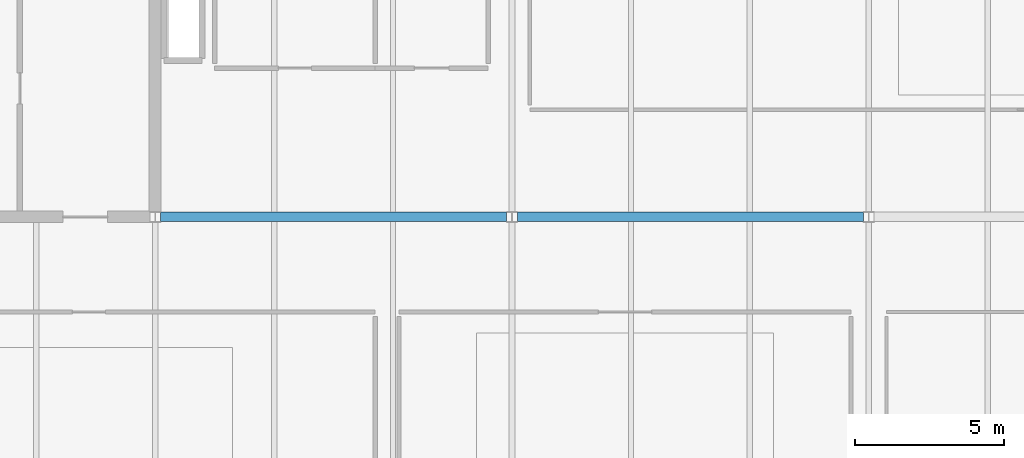
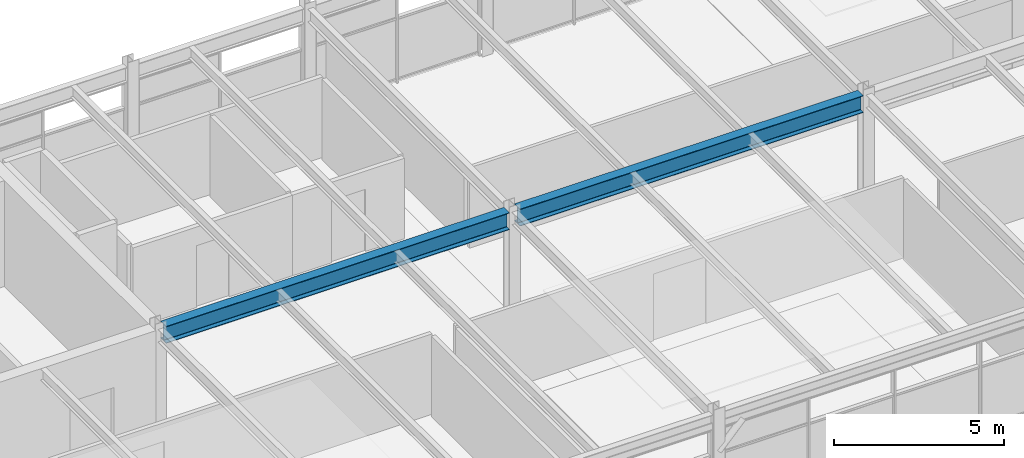
# One storey, part 8 of 23: 2 beams.
"""IFC4 building model written with IfcOpenShell, lengths in metres."""

import ifcopenshell
import ifcopenshell.guid

model = None  # the IFC model being written
_history = None  # IfcOwnerHistory: only IFC2X3 demands one
_inside = {}  # id of a spatial element -> (the spatial element, [elements in it])
_under = {}  # id of a project, library or spatial element -> (it, [spatial elements below it])
_declared = {}  # id of a project -> (the project, [libraries it declares])
_typed = {}  # id of a type object -> (the type object, [elements of that type])
_made_of = {}  # id of a material, layer set ... -> (it, [elements and type objects made of it])


def new_model(schema):
    """Start an empty IFC model of exactly this schema.

    Asked for "IFC4X3", IfcOpenShell would pick the latest addendum, in which some entities
    have other attributes; the version numbers below select the first issue.
    IFC2X3 requires an IfcOwnerHistory on every rooted entity: one is made here for all.
    """
    global model, _history
    if schema == "IFC4X3":
        model = ifcopenshell.file(schema_version=(4, 3, 0, 0))
    else:
        model = ifcopenshell.file(schema=schema)
    _inside.clear()
    _under.clear()
    _declared.clear()
    _typed.clear()
    _made_of.clear()
    _history = None
    if model.schema == "IFC2X3":
        org = make("IfcOrganization", Name="unknown")
        user = make(
            "IfcPersonAndOrganization",
            ThePerson=make("IfcPerson", FamilyName="unknown"),
            TheOrganization=org,
        )
        app = make(
            "IfcApplication",
            ApplicationDeveloper=org,
            Version="unknown",
            ApplicationFullName="unknown",
            ApplicationIdentifier="unknown",
        )
        _history = make(
            "IfcOwnerHistory",
            OwningUser=user,
            OwningApplication=app,
            ChangeAction="ADDED",
            CreationDate=0,
        )
    return model


def make(cls, **values):
    """One entity of the class cls with the attributes given. An attribute that is None is left unset."""
    return model.create_entity(
        cls, **{name: value for name, value in values.items() if value is not None}
    )


def rooted(cls, **values):
    """An entity with a GlobalId (a new one), such as an element, a storey or a relation."""
    return make(cls, GlobalId=ifcopenshell.guid.new(), OwnerHistory=_history, **values)


def si_unit(unit_type, name, prefix=None):
    """IfcSIUnit, for example si_unit("LENGTHUNIT", "METRE", prefix="MILLI")."""
    return make("IfcSIUnit", UnitType=unit_type, Prefix=prefix, Name=name)


def assignment(units):
    """IfcUnitAssignment: the units of a project."""
    return None if units is None else make("IfcUnitAssignment", Units=units)


def point(xyz):
    """IfcCartesianPoint."""
    return None if xyz is None else make("IfcCartesianPoint", Coordinates=xyz)


def direction(xyz):
    """IfcDirection."""
    return None if xyz is None else make("IfcDirection", DirectionRatios=xyz)


def frame(location, z_axis=None, x_axis=None):
    """IfcAxis2Placement3D, a coordinate frame: its origin and axes. An axis left out is left unset."""
    return make(
        "IfcAxis2Placement3D",
        Location=point(location),
        Axis=direction(z_axis),
        RefDirection=direction(x_axis),
    )


def frame_2d(location, x_axis=None):
    """IfcAxis2Placement2D, a coordinate frame in the plane: its origin and x axis."""
    return make(
        "IfcAxis2Placement2D", Location=point(location), RefDirection=direction(x_axis)
    )


def origin():
    """The frame at (0, 0, 0) with its axes left unset."""
    return frame((0.0, 0.0, 0.0))


def origin_2d():
    """The frame at (0, 0) in the plane with its x axis left unset."""
    return frame_2d((0.0, 0.0))


def place(relative_to, where):
    """IfcLocalPlacement: puts the frame where relative to a parent placement (None: the world)."""
    return make(
        "IfcLocalPlacement", PlacementRelTo=relative_to, RelativePlacement=where
    )


def context(
    kind, dimensions, precision=None, world=None, true_north=None, identifier=None
):
    """IfcGeometricRepresentationContext, for example the 3D "Model" context."""
    return make(
        "IfcGeometricRepresentationContext",
        ContextIdentifier=identifier,
        ContextType=kind,
        CoordinateSpaceDimension=dimensions,
        Precision=precision,
        WorldCoordinateSystem=world,
        TrueNorth=true_north,
    )


def subcontext(parent, identifier, kind, view, scale=None):
    """IfcGeometricRepresentationSubContext, for example "Body" below "Model"."""
    return make(
        "IfcGeometricRepresentationSubContext",
        ContextIdentifier=identifier,
        ContextType=kind,
        ParentContext=parent,
        TargetScale=scale,
        TargetView=view,
    )


def project(units=None, contexts=None):
    """IfcProject with its units and contexts."""
    return rooted(
        "IfcProject",
        Name="project",
        RepresentationContexts=contexts,
        UnitsInContext=assignment(units),
    )


def spatial(cls, under=None, at=None, **own):
    """A site, building, storey or space (cls), placed at a placement, below another one or the project."""
    s = rooted(cls, ObjectPlacement=at, **own)
    if under is not None:
        _under.setdefault(under.id(), (under, []))[1].append(s)
    return s


def profile(cls, at=None, kind="AREA", **sizes):
    """A parametric profile (cls). Its sizes go by their IFC names, for example OverallWidth=200.0."""
    return make(cls, ProfileType=kind, Position=at, **sizes)


def i_section(**sizes):
    """IfcIShapeProfileDef."""
    return profile("IfcIShapeProfileDef", **sizes)


def extrude(swept, where, along, depth):
    """IfcExtrudedAreaSolid: the profile swept, set in the frame where, extruded along a direction by depth."""
    return make(
        "IfcExtrudedAreaSolid",
        SweptArea=swept,
        Position=where,
        ExtrudedDirection=direction(along),
        Depth=depth,
    )


def shape(context_of_items, identifier, shape_type, items):
    """IfcShapeRepresentation: the items that make up one representation, for example the "Body"."""
    return make(
        "IfcShapeRepresentation",
        ContextOfItems=context_of_items,
        RepresentationIdentifier=identifier,
        RepresentationType=shape_type,
        Items=items,
    )


def material(Name=None, Category=None):
    """IfcMaterial."""
    return make("IfcMaterial", Name=Name, Category=Category)


def material_profile(
    of_material, cross_section, Name=None, Category=None, Priority=None
):
    """IfcMaterialProfile: a cross section and its material."""
    return make(
        "IfcMaterialProfile",
        Name=Name,
        Material=of_material,
        Profile=cross_section,
        Priority=Priority,
        Category=Category,
    )


def profile_set(profiles, Name=None, composite=None):
    """IfcMaterialProfileSet."""
    return make(
        "IfcMaterialProfileSet",
        Name=Name,
        MaterialProfiles=profiles,
        CompositeProfile=composite,
    )


def made_of(thing, what):
    """Note that an element or type object is made of a material, layer set ...; save() writes the relation."""
    if what is not None:
        _made_of.setdefault(what.id(), (what, []))[1].append(thing)
    return thing


def type_object(cls, material=None, **own):
    """A type object (cls), such as IfcWallType, which elements share."""
    return made_of(rooted(cls, **own), material)


def element(
    cls,
    number,
    at=None,
    inside=None,
    cuts=None,
    type_object=None,
    material=None,
    context=None,
    identifier="Body",
    shape_type=None,
    held_by="IfcProductDefinitionShape",
    body=None,
    shapes=None,
    **own,
):
    """One element of the class cls, such as IfcWall. Its Tag is "e" and its number.

    at: its placement. inside: the storey or other place that contains it. cuts: it is an
    opening in that element (IfcRelVoidsElement). A single representation is given by context,
    identifier, shape_type and body (its items); several are given by shapes. held_by: the class
    of the entity that holds the representations. save() writes the other relations.
    """
    e = rooted(cls, Tag="e%d" % number, ObjectPlacement=at, **own)
    if body is not None:
        shapes = [shape(context, identifier, shape_type, body)]
    if shapes is not None:
        e.Representation = make(held_by, Representations=shapes)
    if inside is not None:
        _inside.setdefault(inside.id(), (inside, []))[1].append(e)
    if cuts is not None:
        rooted(
            "IfcRelVoidsElement", RelatingBuildingElement=cuts, RelatedOpeningElement=e
        )
    if type_object is not None:
        _typed.setdefault(type_object.id(), (type_object, []))[1].append(e)
    return made_of(e, material)


def aggregate(whole, parts):
    """IfcRelAggregates: a whole, such as a stair, and the parts it consists of."""
    return rooted("IfcRelAggregates", RelatingObject=whole, RelatedObjects=parts)


def save(model, path):
    """Write the relations noted so far, then the file.

    IfcRelAggregates (storeys below a building ...), IfcRelContainedInSpatialStructure (elements
    in a storey), IfcRelDefinesByType, IfcRelAssociatesMaterial and IfcRelDeclares: one each for
    every whole, place, type object, material and project.
    """
    for whole, parts in _under.values():
        aggregate(whole, parts)
    for where, things in _inside.values():
        rooted(
            "IfcRelContainedInSpatialStructure",
            RelatedElements=things,
            RelatingStructure=where,
        )
    for kind, things in _typed.values():
        rooted("IfcRelDefinesByType", RelatedObjects=things, RelatingType=kind)
    for what, things in _made_of.values():
        rooted("IfcRelAssociatesMaterial", RelatedObjects=things, RelatingMaterial=what)
    for by, libraries in _declared.values():
        rooted("IfcRelDeclares", RelatingContext=by, RelatedDefinitions=libraries)
    model.write(path)


model = new_model("IFC4")

# Units and contexts
model_context = context("Model", 3, precision=1e-05, world=origin(), true_north=direction((0.0, 1.0)))
body_context = subcontext(model_context, "Body", "Model", "MODEL_VIEW")
ifc_project = project(units=[si_unit("LENGTHUNIT", "METRE"), si_unit("AREAUNIT", "SQUARE_METRE"), si_unit("VOLUMEUNIT", "CUBIC_METRE"), si_unit("PLANEANGLEUNIT", "RADIAN"), si_unit("MASSUNIT", "GRAM", prefix="KILO")], contexts=[model_context])

# Site, building, storey
site_placement = place(None, origin())
site = spatial("IfcSite", under=ifc_project, at=site_placement, CompositionType="ELEMENT")
building_placement = place(site_placement, origin())
building = spatial("IfcBuilding", under=site, at=building_placement, Name="Girod Span Mobility Hub", CompositionType="ELEMENT")
storey_placement = place(building_placement, frame((0.0, 0.0, 65.60009765625)))
storey = spatial("IfcBuildingStorey", under=building, at=storey_placement, Name="L16", CompositionType="ELEMENT", Elevation=65.60009765625)

# Beams
ifc_material = material(Name="Steel A992 Grade 50", Category="steel")
ifc_material_profile = material_profile(ifc_material, i_section(OverallWidth=0.323974609375, OverallDepth=0.611083984375, WebThickness=0.0126953125, FlangeThickness=0.01904296875, FilletRadius=0.014892578125, at=origin_2d()), Name="W24X104")
ifc_profile_set = profile_set([ifc_material_profile], Name="Steel A992 Grade 50")
beam_type = type_object("IfcBeamType", Name="BM-STL-W24X104", PredefinedType="BEAM", material=ifc_profile_set)
for number, where, z_axis, x_axis, name in (
    (1, (60.181396484375, 57.0, 3.484375), (1.0, 0.0, 0.0), (0.0, 1.0, 0.0), "Girder 6-7/E L16"),
    (2, (72.181396484375, 57.0, 3.484375), (1.0, 0.0, 0.0), (0.0, 1.0, 0.0), "Girder 7-8/E L16"),
):
    element("IfcBeam", number, at=place(storey_placement, frame(where, z_axis=z_axis, x_axis=x_axis)), inside=storey, type_object=beam_type, Name=name, PredefinedType="BEAM", context=body_context, shape_type="SweptSolid", body=[
        extrude(i_section(OverallWidth=0.323974609375, OverallDepth=0.611083984375, WebThickness=0.0126953125, FlangeThickness=0.01904296875, FilletRadius=0.014892578125, at=origin_2d()), origin(), (0.0, 0.0, 1.0), 11.63720703125),
    ])

save(model, "model.ifc")
